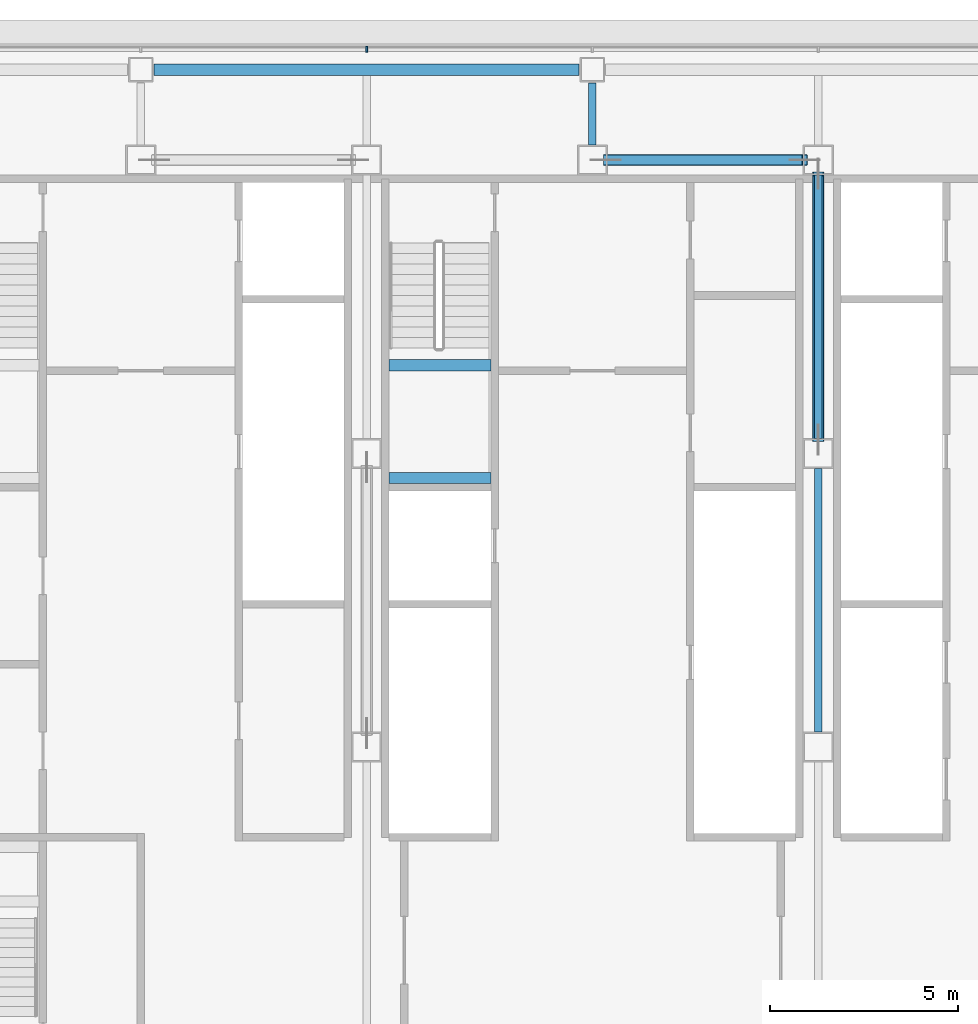
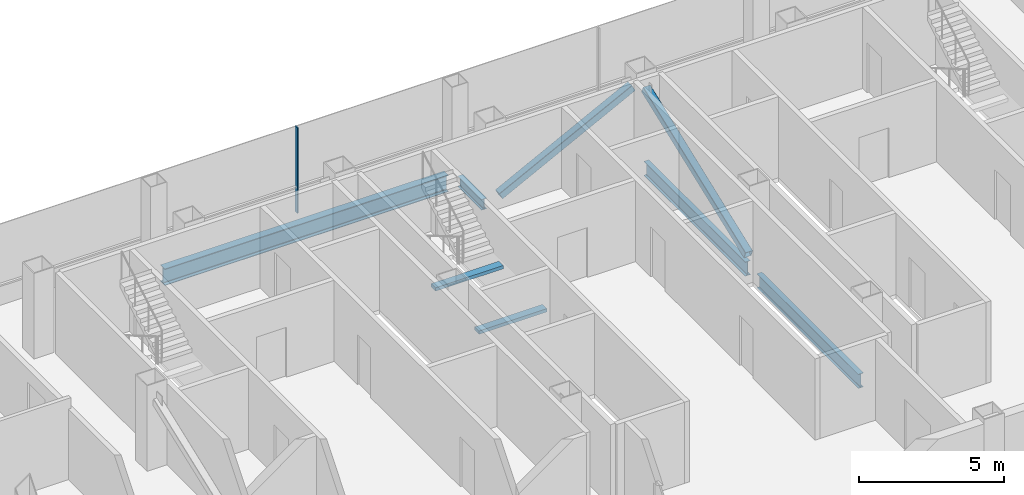
# One storey, part 13 of 29: 6 beams, 3 members, 1 element without a shape of its own.
"""IFC4 building model written with IfcOpenShell, lengths in metres."""

from ifc_helpers import new_model, si_unit, direction, frame, origin, origin_2d, place, context, subcontext, project, spatial, rectangle, hollow_rectangle, i_section, extrude, material, material_profile, profile_set, type_object, element, aggregate, save


model = new_model("IFC4")

# Units and contexts
model_context = context("Model", 3, precision=1e-05, world=origin(), true_north=direction((0.0, 1.0)))
body_context = subcontext(model_context, "Body", "Model", "MODEL_VIEW")
ifc_project = project(units=[si_unit("LENGTHUNIT", "METRE"), si_unit("AREAUNIT", "SQUARE_METRE"), si_unit("VOLUMEUNIT", "CUBIC_METRE"), si_unit("PLANEANGLEUNIT", "RADIAN"), si_unit("MASSUNIT", "GRAM", prefix="KILO")], contexts=[model_context])

# Site, building, storey
site_placement = place(None, origin())
site = spatial("IfcSite", under=ifc_project, at=site_placement, CompositionType="ELEMENT")
building_placement = place(site_placement, origin())
building = spatial("IfcBuilding", under=site, at=building_placement, Name="Sorahane Residences", CompositionType="ELEMENT")
storey_placement = place(building_placement, frame((0.0, 0.0, 199.199951171875)))
storey = spatial("IfcBuildingStorey", under=building, at=storey_placement, Name="L46", CompositionType="ELEMENT", Elevation=199.199951171875)

# Members
ifc_material_1 = material(Name="Steel Q355B", Category="steel")
ifc_material_profile_1 = material_profile(ifc_material_1, hollow_rectangle(XDim=0.300048828125, YDim=0.300048828125, WallThickness=0.01611328125, InnerFilletRadius=0.008056640625, OuterFilletRadius=0.02392578125, at=origin_2d()), Name="RHS 300x300x16")
ifc_profile_set_1 = profile_set([ifc_material_profile_1], Name="Steel Q355B")
member_type_1 = type_object("IfcMemberType", Name="Core brace RHS 300x300x16 Q355B", PredefinedType="BRACE", material=ifc_profile_set_1)
member_1_placement = place(storey_placement, frame((24.35888671875, 45.60009765625, 0.12890625), z_axis=(0.889590046837, 0.0, 0.45675983686), x_axis=(0.0, 1.0, 0.0)))
element("IfcMember", 1, at=member_1_placement, inside=storey, type_object=member_type_1, Name="Core brace L46 y45.6-4", PredefinedType="BRACE", context=body_context, shape_type="SweptSolid", body=[
    extrude(hollow_rectangle(XDim=0.300048828125, YDim=0.300048828125, WallThickness=0.01611328125, InnerFilletRadius=0.008056640625, OuterFilletRadius=0.02392578125, at=origin_2d()), origin(), (0.0, 0.0, 1.0), 5.937744140625),
])
member_2_placement = place(storey_placement, frame((30.0, 38.16796875, 0.1376953125), z_axis=(0.0, 0.934335722983, 0.356394103147), x_axis=(-1.0, 0.0, 0.0)))
element("IfcMember", 2, at=member_2_placement, inside=storey, type_object=member_type_1, Name="Core brace L46 x30-2", PredefinedType="BRACE", context=body_context, shape_type="SweptSolid", body=[
    extrude(hollow_rectangle(XDim=0.300048828125, YDim=0.300048828125, WallThickness=0.01611328125, InnerFilletRadius=0.008056640625, OuterFilletRadius=0.02392578125, at=origin_2d()), origin(), (0.0, 0.0, 1.0), 7.560791015625),
])

# Curtain wall, member
ifc_material_2 = material(Name="Dark low-e glass and black anodised aluminium", Category="aluminium")
curtain_wall_type = type_object("IfcCurtainWallType", Name="Curtain wall CW-1 Typical unitised wall", PredefinedType="NOTDEFINED", material=ifc_material_2)
curtain_wall_placement = place(storey_placement, origin())
curtain_wall = element("IfcCurtainWall", 3, at=curtain_wall_placement, inside=storey, type_object=curtain_wall_type, Name="CW-1 curtain wall L46 N2", PredefinedType="NOTDEFINED")
ifc_material_3 = material(Name="Black anodised aluminium", Category="aluminium")
ifc_material_profile_2 = material_profile(ifc_material_3, rectangle(XDim=0.159912109375, YDim=0.050048828125, at=origin_2d()), Name="Curtain wall mullion CW-1 black anodised aluminium 50x160")
ifc_profile_set_2 = profile_set([ifc_material_profile_2], Name="Black anodised aluminium")
member_type_2 = type_object("IfcMemberType", Name="Curtain wall mullion CW-1 black anodised aluminium 50x160", PredefinedType="MULLION", material=ifc_profile_set_2)
member_3_placement = place(storey_placement, frame((18.0, 48.5400390625, -0.179931640625), z_axis=(0.0, 0.0, 1.0), x_axis=(0.0, 1.0, 0.0)))
member_3 = element("IfcMember", 4, at=member_3_placement, type_object=member_type_2, Name="CW-1 mullion L46 N2.6", PredefinedType="MULLION", context=body_context, shape_type="SweptSolid", body=[
    extrude(rectangle(XDim=0.159912109375, YDim=0.050048828125, at=origin_2d()), origin(), (0.0, 0.0, 1.0), 3.60009765625),
])
aggregate(curtain_wall, [member_3])

# Beams
ifc_material_4 = material(Name="Concrete C40", Category="concrete")
ifc_material_profile_3 = material_profile(ifc_material_4, rectangle(XDim=0.300048828125, YDim=0.139892578125, at=origin_2d()), Name="300x140")
ifc_profile_set_3 = profile_set([ifc_material_profile_3], Name="Concrete C40")
beam_type_1 = type_object("IfcBeamType", Name="RC landing beam 300 x 140 Concrete C40", PredefinedType="BEAM", material=ifc_profile_set_3)
for number, where, z_axis, x_axis, name in (
    (5, (18.60009765625, 37.14990234375, 1.530029296875), (1.0, 0.0, 0.0), (0.0, 1.0, 0.0), "Landing beam"),
    (6, (18.60009765625, 40.14990234375, 1.530029296875), (1.0, 0.0, 0.0), (0.0, 1.0, 0.0), "Landing beam"),
):
    element("IfcBeam", number, at=place(storey_placement, frame(where, z_axis=z_axis, x_axis=x_axis)), inside=storey, type_object=beam_type_1, Name=name, PredefinedType="BEAM", context=body_context, shape_type="SweptSolid", body=[
        extrude(rectangle(XDim=0.300048828125, YDim=0.139892578125, at=origin_2d()), origin(), (0.0, 0.0, 1.0), 2.699951171875),
    ])
ifc_material_5 = material(Name="Steel Q355B", Category="steel")
ifc_material_profile_4 = material_profile(ifc_material_5, i_section(OverallWidth=0.199951171875, OverallDepth=0.449951171875, WebThickness=0.009033203125, FlangeThickness=0.013916015625, FilletRadius=0.02001953125, at=origin_2d()), Name="HN 450x200x9x14")
ifc_profile_set_4 = profile_set([ifc_material_profile_4], Name="Steel Q355B")
beam_type_2 = type_object("IfcBeamType", Name="Steel floor beam HN 450x200x9x14 Q355B", PredefinedType="BEAM", material=ifc_profile_set_4)
beam_1_placement = place(storey_placement, frame((24.0, 46.0, -0.405029296875), z_axis=(0.0, 1.0, 0.0), x_axis=(-1.0, 0.0, 0.0)))
element("IfcBeam", 7, at=beam_1_placement, inside=storey, type_object=beam_type_2, Name="Beam L46 042", PredefinedType="BEAM", context=body_context, shape_type="SweptSolid", body=[
    extrude(i_section(OverallWidth=0.199951171875, OverallDepth=0.449951171875, WebThickness=0.009033203125, FlangeThickness=0.013916015625, FilletRadius=0.02001953125, at=origin_2d()), origin(), (0.0, 0.0, 1.0), 1.64990234375),
])
ifc_material_6 = material(Name="Steel Q355B", Category="steel")
ifc_material_profile_5 = material_profile(ifc_material_6, i_section(OverallWidth=0.199951171875, OverallDepth=0.60009765625, WebThickness=0.010986328125, FlangeThickness=0.01708984375, FilletRadius=0.02392578125, at=origin_2d()), Name="HN 600x200x11x17")
ifc_profile_set_5 = profile_set([ifc_material_profile_5], Name="Steel Q355B")
beam_type_3 = type_object("IfcBeamType", Name="Steel floor beam HN 600x200x11x17 Q355B", PredefinedType="BEAM", material=ifc_profile_set_5)
for number, where, z_axis, x_axis, name in (
    (8, (30.0, 30.39990234375, -0.47998046875), (0.0, 1.0, 0.0), (-1.0, 0.0, 0.0), "Beam L46 046"),
    (9, (30.0, 38.199951171875, -0.47998046875), (0.0, 1.0, 0.0), (-1.0, 0.0, 0.0), "Beam L46 047"),
):
    element("IfcBeam", number, at=place(storey_placement, frame(where, z_axis=z_axis, x_axis=x_axis)), inside=storey, type_object=beam_type_3, Name=name, PredefinedType="BEAM", context=body_context, shape_type="SweptSolid", body=[
        extrude(i_section(OverallWidth=0.199951171875, OverallDepth=0.60009765625, WebThickness=0.010986328125, FlangeThickness=0.01708984375, FilletRadius=0.02392578125, at=origin_2d()), origin(), (0.0, 0.0, 1.0), 7.0),
    ])
ifc_material_7 = material(Name="Steel Q355B", Category="steel")
ifc_material_profile_6 = material_profile(ifc_material_7, i_section(OverallWidth=0.300048828125, OverallDepth=0.699951171875, WebThickness=0.012939453125, FlangeThickness=0.02392578125, FilletRadius=0.028076171875, at=origin_2d()), Name="HN 700x300x13x24")
ifc_profile_set_6 = profile_set([ifc_material_profile_6], Name="Steel Q355B")
beam_type_4 = type_object("IfcBeamType", Name="Steel floor beam HN 700x300x13x24 Q355B", PredefinedType="BEAM", material=ifc_profile_set_6)
beam_2_placement = place(storey_placement, frame((12.35009765625, 48.0, -0.530029296875), z_axis=(1.0, 0.0, 0.0), x_axis=(0.0, 1.0, 0.0)))
element("IfcBeam", 10, at=beam_2_placement, inside=storey, type_object=beam_type_4, Name="Beam L46 017", PredefinedType="BEAM", context=body_context, shape_type="SweptSolid", body=[
    extrude(i_section(OverallWidth=0.300048828125, OverallDepth=0.699951171875, WebThickness=0.012939453125, FlangeThickness=0.02392578125, FilletRadius=0.028076171875, at=origin_2d()), origin(), (0.0, 0.0, 1.0), 11.2998046875),
])

save(model, "model.ifc")
